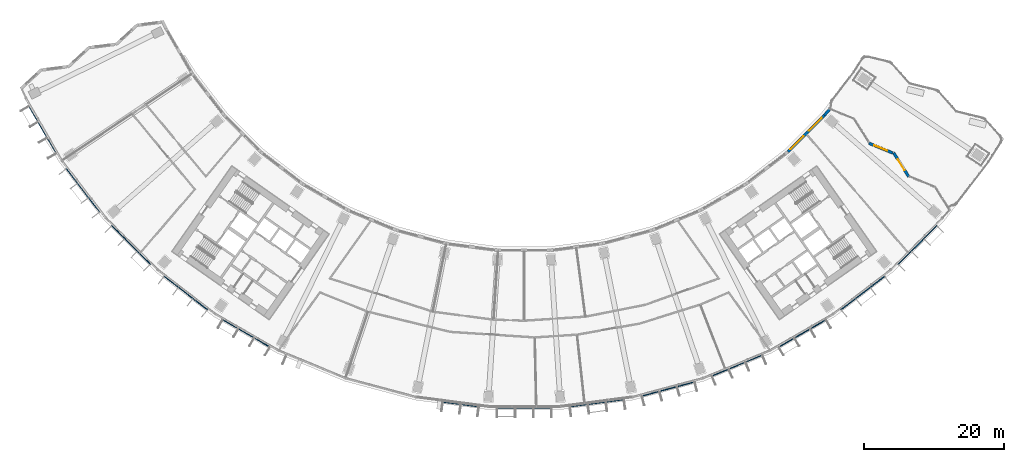
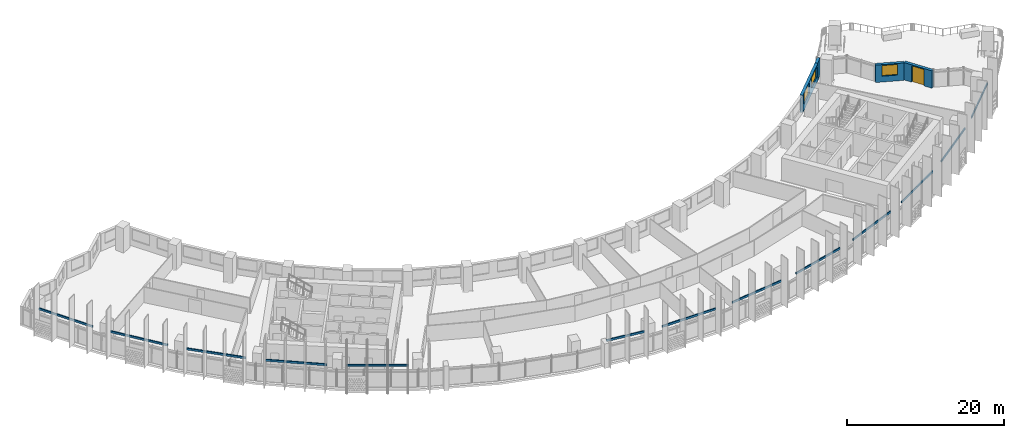
# One storey, part 8 of 33: 13 discrete accessories, 4 walls, 3 windows, 1 door, 4 openings.
"""IFC4 building model written with IfcOpenShell, lengths in metres."""

from ifc_helpers import new_model, si_unit, direction, frame, frame_2d, origin, origin_2d, place, context, subcontext, project, spatial, rectangle, extrude, material, layer, layer_set, type_object, element, fill, save


model = new_model("IFC4")

# Units and contexts
model_context = context("Model", 3, precision=1e-05, world=origin(), true_north=direction((0.0, 1.0)))
body_context = subcontext(model_context, "Body", "Model", "MODEL_VIEW")
ifc_project = project(units=[si_unit("LENGTHUNIT", "METRE"), si_unit("AREAUNIT", "SQUARE_METRE"), si_unit("VOLUMEUNIT", "CUBIC_METRE"), si_unit("PLANEANGLEUNIT", "RADIAN"), si_unit("MASSUNIT", "GRAM", prefix="KILO")], contexts=[model_context])

# Site, building, storey
site_placement = place(None, origin())
site = spatial("IfcSite", under=ifc_project, at=site_placement, CompositionType="ELEMENT")
building_placement = place(site_placement, origin())
building = spatial("IfcBuilding", under=site, at=building_placement, Name="Qamariyya Broadcast Tower", CompositionType="ELEMENT")
storey_placement = place(building_placement, frame((0.0, 0.0, 94.89990234375)))
storey = spatial("IfcBuildingStorey", under=building, at=storey_placement, Name="L20", CompositionType="ELEMENT", Elevation=94.89990234375)

# Wall, opening, door
ifc_material_1 = material(Name="Terracotta", Category="masonry")
ifc_layer = layer(ifc_material_1, 0.39990234375)
ifc_layer_set = layer_set([ifc_layer], Name="Terracotta clad wall 400")
wall_type = type_object("IfcWallType", Name="Terracotta clad wall 400", PredefinedType="SOLIDWALL", material=ifc_layer_set)
wall_1_placement = place(storey_placement, frame((54.76708984375, -46.28564453125, 0.0), z_axis=(0.0, 0.0, 1.0), x_axis=(-0.534740980005, 0.845016026063, 0.0)))
wall_1 = element("IfcWall", 1, at=wall_1_placement, inside=storey, type_object=wall_type, Name="e-wl-L20-capE2", PredefinedType="SOLIDWALL", context=body_context, shape_type="SweptSolid", body=[
    extrude(rectangle(XDim=4.014404296875, YDim=0.39990234375, at=frame_2d((2.00732421875, 0.0))), origin(), (0.0, 0.0, 1.0), 2.7001953125),
])
opening_1_placement = place(wall_1_placement, frame((1.107177734375, 0.0, 0.0)))
opening_1 = element("IfcOpeningElement", 2, at=opening_1_placement, cuts=wall_1, Name="Opening ED5", PredefinedType="OPENING", context=body_context, shape_type="SweptSolid", body=[
    extrude(rectangle(XDim=1.800048828125, YDim=2.550048828125, at=frame_2d((0.89990234375, 1.27490234375))), frame((0.0, 0.2099609375, 0.0), z_axis=(0.0, -1.0, 0.0), x_axis=(1.0, 0.0, 0.0)), (0.0, 0.0, 1.0), 0.419921875),
])
ifc_material_2 = material(Name="Toughened glass in stainless steel frame", Category="steel")
door_type = type_object("IfcDoorType", Name="Terrace door 1800 x 2550", OperationType="DOUBLE_DOOR_DOUBLE_SWING", PredefinedType="DOOR", material=ifc_material_2)
door_placement = place(opening_1_placement, origin())
door = element("IfcDoor", 3, at=door_placement, inside=storey, type_object=door_type, Name="e-ed-L20-terraceE", OperationType="DOUBLE_DOOR_DOUBLE_SWING", OverallHeight=2.550048828125, OverallWidth=1.800048828125, PredefinedType="DOOR", context=body_context, shape_type="SweptSolid", body=[
    extrude(rectangle(XDim=1.800048828125, YDim=2.550048828125, at=frame_2d((0.89990234375, 1.27490234375))), frame((0.0, 0.02490234375, 0.0), z_axis=(0.0, -1.0, 0.0), x_axis=(1.0, 0.0, 0.0)), (0.0, 0.0, 1.0), 0.050048828125),
])
fill(opening_1, door)

# Wall, opening, window
wall_2_placement = place(storey_placement, frame((52.488525390625, -42.910888671875, 0.0), z_axis=(0.0, 0.0, 1.0), x_axis=(-0.925005624709, 0.379953410639, 0.0)))
wall_2 = element("IfcWall", 4, at=wall_2_placement, inside=storey, type_object=wall_type, Name="e-wl-L20-capE3", PredefinedType="SOLIDWALL", context=body_context, shape_type="SweptSolid", body=[
    extrude(rectangle(XDim=3.670166015625, YDim=0.39990234375, at=frame_2d((1.8349609375, 0.0))), origin(), (0.0, 0.0, 1.0), 2.7001953125),
])
opening_2_placement = place(wall_2_placement, frame((0.835205078125, 0.0, 0.89990234375)))
opening_2 = element("IfcOpeningElement", 5, at=opening_2_placement, cuts=wall_2, Name="Opening W2", PredefinedType="OPENING", context=body_context, shape_type="SweptSolid", body=[
    extrude(rectangle(XDim=2.0, YDim=1.64990234375, at=frame_2d((1.0, 0.824951171875))), frame((0.0, 0.2099609375, 0.0), z_axis=(0.0, -1.0, 0.0), x_axis=(1.0, 0.0, 0.0)), (0.0, 0.0, 1.0), 0.419921875),
])
ifc_material_3 = material(Name="Clear low-e double glazed unit in aluminium frame", Category="aluminium")
window_type_1 = type_object("IfcWindowType", Name="Facade window 2000 x 1650", PartitioningType="SINGLE_PANEL", PredefinedType="WINDOW", material=ifc_material_3)
window_1_placement = place(opening_2_placement, origin())
window_1 = element("IfcWindow", 6, at=window_1_placement, inside=storey, type_object=window_type_1, Name="e-w-L20-capE3", OverallHeight=1.64990234375, OverallWidth=2.0, PartitioningType="SINGLE_PANEL", PredefinedType="WINDOW", context=body_context, shape_type="SweptSolid", body=[
    extrude(rectangle(XDim=2.0, YDim=1.64990234375, at=frame_2d((1.0, 0.824951171875))), frame((0.0, 0.030029296875, 0.0), z_axis=(0.0, -1.0, 0.0), x_axis=(1.0, 0.0, 0.0)), (0.0, 0.0, 1.0), 0.06005859375),
])
fill(opening_2, window_1)

# Wall, openings, windows
wall_3_placement = place(storey_placement, frame((42.7548828125, -37.542236328125, 0.0), z_axis=(0.0, 0.0, 1.0), x_axis=(-0.707106781187, -0.707106781187, 0.0)))
wall_3 = element("IfcWall", 7, at=wall_3_placement, inside=storey, type_object=wall_type, Name="e-wl-L20-in150", PredefinedType="SOLIDWALL", context=body_context, shape_type="SweptSolid", body=[
    extrude(rectangle(XDim=7.356689453125, YDim=0.39990234375, at=frame_2d((3.67822265625, 0.0))), origin(), (0.0, 0.0, 1.0), 2.7001953125),
])
opening_3_placement = place(wall_3_placement, frame((4.240234375, 0.0, 0.89990234375)))
opening_3 = element("IfcOpeningElement", 8, at=opening_3_placement, cuts=wall_3, Name="Opening W1", PredefinedType="OPENING", context=body_context, shape_type="SweptSolid", body=[
    extrude(rectangle(XDim=2.60009765625, YDim=1.64990234375, at=frame_2d((1.300048828125, 0.824951171875))), frame((0.0, 0.2099609375, 0.0), z_axis=(0.0, -1.0, 0.0), x_axis=(1.0, 0.0, 0.0)), (0.0, 0.0, 1.0), 0.419921875),
])
opening_4_placement = place(wall_3_placement, frame((0.53173828125, 0.0, 0.89990234375)))
opening_4 = element("IfcOpeningElement", 9, at=opening_4_placement, cuts=wall_3, Name="Opening W1", PredefinedType="OPENING", context=body_context, shape_type="SweptSolid", body=[
    extrude(rectangle(XDim=2.60009765625, YDim=1.64990234375, at=frame_2d((1.300048828125, 0.824951171875))), frame((0.0, 0.2099609375, 0.0), z_axis=(0.0, -1.0, 0.0), x_axis=(1.0, 0.0, 0.0)), (0.0, 0.0, 1.0), 0.419921875),
])
window_type_2 = type_object("IfcWindowType", Name="Ribbon window 2600 x 1650", PartitioningType="SINGLE_PANEL", PredefinedType="WINDOW", material=ifc_material_3)
window_2_placement = place(opening_3_placement, origin())
window_2 = element("IfcWindow", 10, at=window_2_placement, inside=storey, type_object=window_type_2, Name="e-w-L20-in15-0", OverallHeight=1.64990234375, OverallWidth=2.60009765625, PartitioningType="SINGLE_PANEL", PredefinedType="WINDOW", context=body_context, shape_type="SweptSolid", body=[
    extrude(rectangle(XDim=2.60009765625, YDim=1.64990234375, at=frame_2d((1.300048828125, 0.824951171875))), frame((0.0, 0.030029296875, 0.0), z_axis=(0.0, -1.0, 0.0), x_axis=(1.0, 0.0, 0.0)), (0.0, 0.0, 1.0), 0.06005859375),
])
fill(opening_3, window_2)
window_3_placement = place(opening_4_placement, origin())
window_3 = element("IfcWindow", 11, at=window_3_placement, inside=storey, type_object=window_type_2, Name="e-w-L20-in15-1", OverallHeight=1.64990234375, OverallWidth=2.60009765625, PartitioningType="SINGLE_PANEL", PredefinedType="WINDOW", context=body_context, shape_type="SweptSolid", body=[
    extrude(rectangle(XDim=2.60009765625, YDim=1.64990234375, at=frame_2d((1.300048828125, 0.824951171875))), frame((0.0, 0.030029296875, 0.0), z_axis=(0.0, -1.0, 0.0), x_axis=(1.0, 0.0, 0.0)), (0.0, 0.0, 1.0), 0.06005859375),
])
fill(opening_4, window_3)

# Wall
wall_4_placement = place(storey_placement, frame((43.5546875, -36.6142578125, 0.0), z_axis=(0.0, 0.0, 1.0), x_axis=(-0.65150557778, -0.758643844055, 0.0)))
element("IfcWall", 12, at=wall_4_placement, inside=storey, type_object=wall_type, Name="e-wl-L20-in160", PredefinedType="SOLIDWALL", context=body_context, shape_type="SweptSolid", body=[
    extrude(rectangle(XDim=1.2099609375, YDim=0.39990234375, at=frame_2d((0.60498046875, 0.0))), origin(), (0.0, 0.0, 1.0), 2.7001953125),
])

# Discrete accessories
ifc_material_4 = material(Name="Stainless steel 316", Category="steel")
discrete_accessory_type = type_object("IfcDiscreteAccessoryType", Name="Slab edge fixing angle, stainless steel", PredefinedType="BRACKET", material=ifc_material_4)
for number, where, z_axis, x_axis, name in (
    (13, (-68.59375, -39.6025390625, 3.30029296875), (0.0, 0.0, 1.0), (0.5, -0.866025403784, 0.0), "e-br-L20-01-0"),
    (14, (-62.837646484375, -48.217041015625, 3.30029296875), (0.0, 0.0, 1.0), (0.608761429009, -0.793353340291, 0.0), "e-br-L20-02-0"),
    (15, (-56.006591796875, -56.006591796875, 3.30029296875), (0.0, 0.0, 1.0), (0.707106781187, -0.707106781187, 0.0), "e-br-L20-03-0"),
    (16, (-48.217041015625, -62.837646484375, 3.30029296875), (0.0, 0.0, 1.0), (0.793353340291, -0.608761429009, 0.0), "e-br-L20-04-0"),
    (17, (-39.6025390625, -68.59375, 3.30029296875), (0.0, 0.0, 1.0), (0.866025403784, -0.5, 0.0), "e-br-L20-05-0"),
):
    element("IfcDiscreteAccessory", number, at=place(storey_placement, frame(where, z_axis=z_axis, x_axis=x_axis)), inside=storey, type_object=discrete_accessory_type, Name=name, PredefinedType="BRACKET", context=body_context, shape_type="SweptSolid", body=[
        extrude(rectangle(XDim=7.879638671875, YDim=0.14990234375, at=origin_2d()), origin(), (0.0, 0.0, 1.0), 0.300048828125),
    ])
discrete_accessory_placement = place(storey_placement, frame((-9.052734375, -78.69677734375, 3.30029296875), z_axis=(0.0, 0.0, 1.0), x_axis=(0.991444861374, -0.13052619222, 0.0)))
element("IfcDiscreteAccessory", 18, at=discrete_accessory_placement, inside=storey, type_object=discrete_accessory_type, Name="e-br-L20-08-0", PredefinedType="BRACKET", context=body_context, shape_type="SweptSolid", body=[
    extrude(rectangle(XDim=5.286376953125, YDim=0.14990234375, at=origin_2d()), origin(), (0.0, 0.0, 1.0), 0.300048828125),
])
for number, where, z_axis, x_axis, name in (
    (19, (0.0, -79.205322265625, 3.30029296875), (0.0, 0.0, 1.0), (1.0, 0.0, 0.0), "e-br-L20-09-0"),
    (20, (10.33837890625, -78.527587890625, 3.30029296875), (0.0, 0.0, 1.0), (0.991444861374, 0.13052619222, 0.0), "e-br-L20-10-0"),
    (21, (20.499755859375, -76.50634765625, 3.30029296875), (0.0, 0.0, 1.0), (0.965925826289, 0.258819045103, 0.0), "e-br-L20-11-0"),
    (22, (30.310546875, -73.176025390625, 3.30029296875), (0.0, 0.0, 1.0), (0.923879532511, 0.382683432365, 0.0), "e-br-L20-12-0"),
    (23, (39.6025390625, -68.59375, 3.30029296875), (0.0, 0.0, 1.0), (0.866025403784, 0.5, 0.0), "e-br-L20-13-0"),
    (24, (48.217041015625, -62.837646484375, 3.30029296875), (0.0, 0.0, 1.0), (0.793353340291, 0.608761429009, 0.0), "e-br-L20-14-0"),
    (25, (56.006591796875, -56.006591796875, 3.30029296875), (0.0, 0.0, 1.0), (0.707106781187, 0.707106781187, 0.0), "e-br-L20-15-0"),
):
    element("IfcDiscreteAccessory", number, at=place(storey_placement, frame(where, z_axis=z_axis, x_axis=x_axis)), inside=storey, type_object=discrete_accessory_type, Name=name, PredefinedType="BRACKET", context=body_context, shape_type="SweptSolid", body=[
        extrude(rectangle(XDim=7.879638671875, YDim=0.14990234375, at=origin_2d()), origin(), (0.0, 0.0, 1.0), 0.300048828125),
    ])

save(model, "model.ifc")
